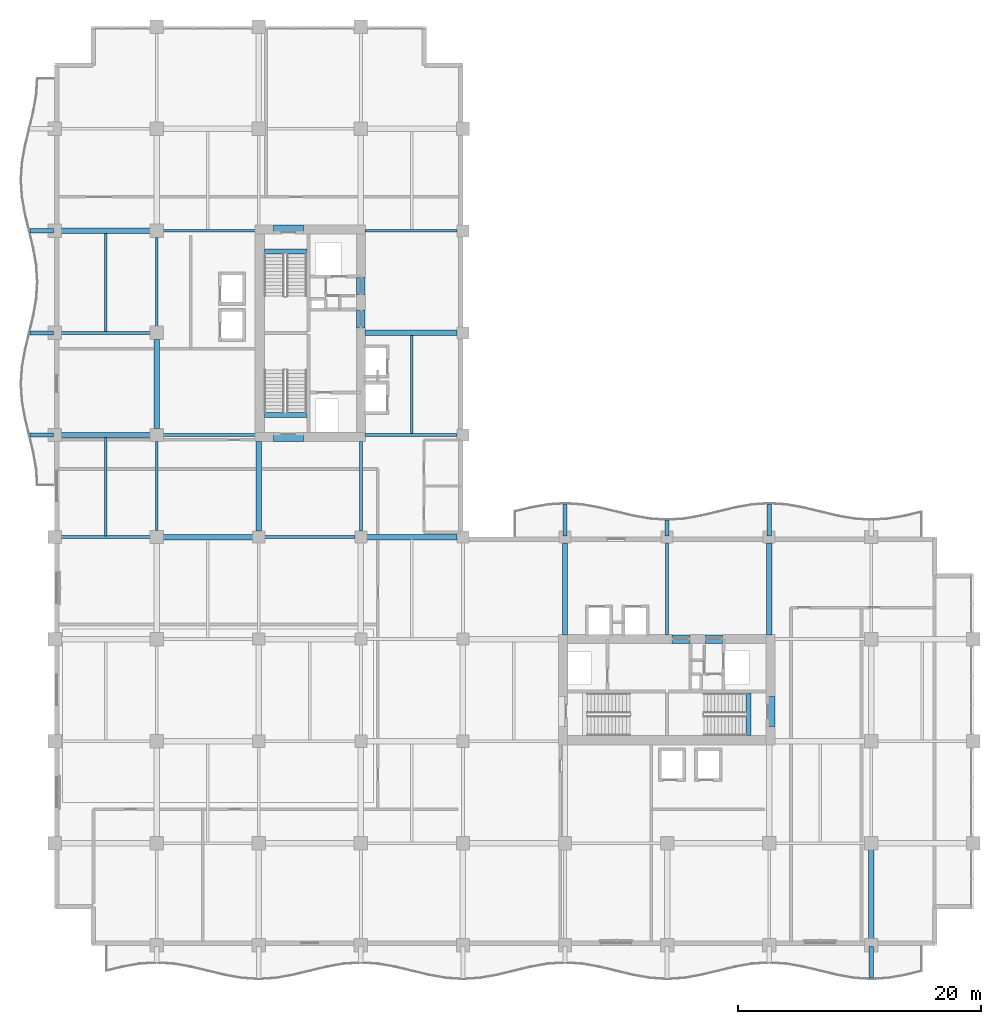
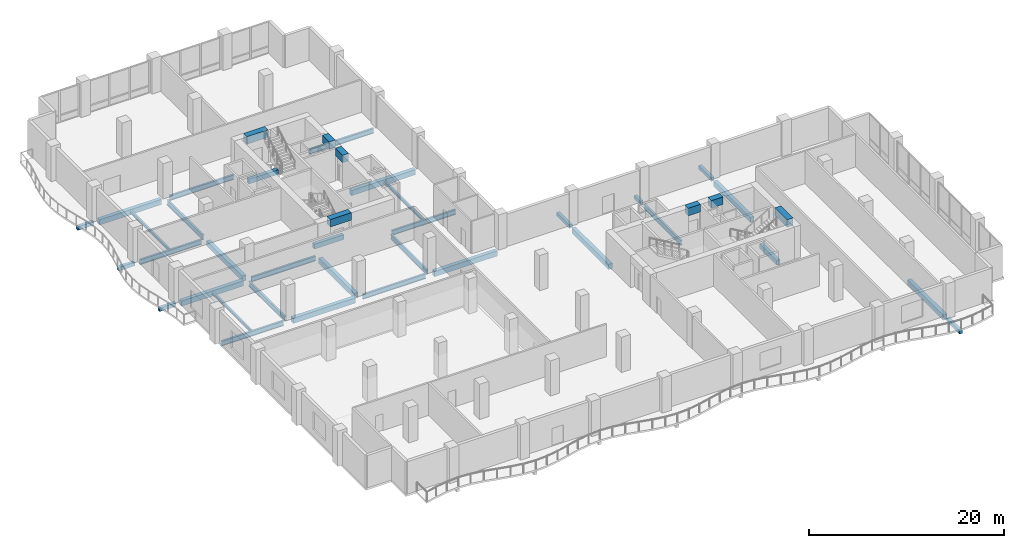
# One storey, part 2 of 25: 41 beams.
"""IFC4 building model written with IfcOpenShell, lengths in metres."""

import ifcopenshell
import ifcopenshell.guid

model = None  # the IFC model being written
_history = None  # IfcOwnerHistory: only IFC2X3 demands one
_inside = {}  # id of a spatial element -> (the spatial element, [elements in it])
_under = {}  # id of a project, library or spatial element -> (it, [spatial elements below it])
_declared = {}  # id of a project -> (the project, [libraries it declares])
_typed = {}  # id of a type object -> (the type object, [elements of that type])
_made_of = {}  # id of a material, layer set ... -> (it, [elements and type objects made of it])


def new_model(schema):
    """Start an empty IFC model of exactly this schema.

    Asked for "IFC4X3", IfcOpenShell would pick the latest addendum, in which some entities
    have other attributes; the version numbers below select the first issue.
    IFC2X3 requires an IfcOwnerHistory on every rooted entity: one is made here for all.
    """
    global model, _history
    if schema == "IFC4X3":
        model = ifcopenshell.file(schema_version=(4, 3, 0, 0))
    else:
        model = ifcopenshell.file(schema=schema)
    _inside.clear()
    _under.clear()
    _declared.clear()
    _typed.clear()
    _made_of.clear()
    _history = None
    if model.schema == "IFC2X3":
        org = make("IfcOrganization", Name="unknown")
        user = make(
            "IfcPersonAndOrganization",
            ThePerson=make("IfcPerson", FamilyName="unknown"),
            TheOrganization=org,
        )
        app = make(
            "IfcApplication",
            ApplicationDeveloper=org,
            Version="unknown",
            ApplicationFullName="unknown",
            ApplicationIdentifier="unknown",
        )
        _history = make(
            "IfcOwnerHistory",
            OwningUser=user,
            OwningApplication=app,
            ChangeAction="ADDED",
            CreationDate=0,
        )
    return model


def make(cls, **values):
    """One entity of the class cls with the attributes given. An attribute that is None is left unset."""
    return model.create_entity(
        cls, **{name: value for name, value in values.items() if value is not None}
    )


def rooted(cls, **values):
    """An entity with a GlobalId (a new one), such as an element, a storey or a relation."""
    return make(cls, GlobalId=ifcopenshell.guid.new(), OwnerHistory=_history, **values)


def si_unit(unit_type, name, prefix=None):
    """IfcSIUnit, for example si_unit("LENGTHUNIT", "METRE", prefix="MILLI")."""
    return make("IfcSIUnit", UnitType=unit_type, Prefix=prefix, Name=name)


def assignment(units):
    """IfcUnitAssignment: the units of a project."""
    return None if units is None else make("IfcUnitAssignment", Units=units)


def point(xyz):
    """IfcCartesianPoint."""
    return None if xyz is None else make("IfcCartesianPoint", Coordinates=xyz)


def direction(xyz):
    """IfcDirection."""
    return None if xyz is None else make("IfcDirection", DirectionRatios=xyz)


def frame(location, z_axis=None, x_axis=None):
    """IfcAxis2Placement3D, a coordinate frame: its origin and axes. An axis left out is left unset."""
    return make(
        "IfcAxis2Placement3D",
        Location=point(location),
        Axis=direction(z_axis),
        RefDirection=direction(x_axis),
    )


def frame_2d(location, x_axis=None):
    """IfcAxis2Placement2D, a coordinate frame in the plane: its origin and x axis."""
    return make(
        "IfcAxis2Placement2D", Location=point(location), RefDirection=direction(x_axis)
    )


def origin():
    """The frame at (0, 0, 0) with its axes left unset."""
    return frame((0.0, 0.0, 0.0))


def origin_2d():
    """The frame at (0, 0) in the plane with its x axis left unset."""
    return frame_2d((0.0, 0.0))


def place(relative_to, where):
    """IfcLocalPlacement: puts the frame where relative to a parent placement (None: the world)."""
    return make(
        "IfcLocalPlacement", PlacementRelTo=relative_to, RelativePlacement=where
    )


def context(
    kind, dimensions, precision=None, world=None, true_north=None, identifier=None
):
    """IfcGeometricRepresentationContext, for example the 3D "Model" context."""
    return make(
        "IfcGeometricRepresentationContext",
        ContextIdentifier=identifier,
        ContextType=kind,
        CoordinateSpaceDimension=dimensions,
        Precision=precision,
        WorldCoordinateSystem=world,
        TrueNorth=true_north,
    )


def subcontext(parent, identifier, kind, view, scale=None):
    """IfcGeometricRepresentationSubContext, for example "Body" below "Model"."""
    return make(
        "IfcGeometricRepresentationSubContext",
        ContextIdentifier=identifier,
        ContextType=kind,
        ParentContext=parent,
        TargetScale=scale,
        TargetView=view,
    )


def project(units=None, contexts=None):
    """IfcProject with its units and contexts."""
    return rooted(
        "IfcProject",
        Name="project",
        RepresentationContexts=contexts,
        UnitsInContext=assignment(units),
    )


def spatial(cls, under=None, at=None, **own):
    """A site, building, storey or space (cls), placed at a placement, below another one or the project."""
    s = rooted(cls, ObjectPlacement=at, **own)
    if under is not None:
        _under.setdefault(under.id(), (under, []))[1].append(s)
    return s


def profile(cls, at=None, kind="AREA", **sizes):
    """A parametric profile (cls). Its sizes go by their IFC names, for example OverallWidth=200.0."""
    return make(cls, ProfileType=kind, Position=at, **sizes)


def rectangle(**sizes):
    """IfcRectangleProfileDef."""
    return profile("IfcRectangleProfileDef", **sizes)


def i_section(**sizes):
    """IfcIShapeProfileDef."""
    return profile("IfcIShapeProfileDef", **sizes)


def extrude(swept, where, along, depth):
    """IfcExtrudedAreaSolid: the profile swept, set in the frame where, extruded along a direction by depth."""
    return make(
        "IfcExtrudedAreaSolid",
        SweptArea=swept,
        Position=where,
        ExtrudedDirection=direction(along),
        Depth=depth,
    )


def shape(context_of_items, identifier, shape_type, items):
    """IfcShapeRepresentation: the items that make up one representation, for example the "Body"."""
    return make(
        "IfcShapeRepresentation",
        ContextOfItems=context_of_items,
        RepresentationIdentifier=identifier,
        RepresentationType=shape_type,
        Items=items,
    )


def material(Name=None, Category=None):
    """IfcMaterial."""
    return make("IfcMaterial", Name=Name, Category=Category)


def material_profile(
    of_material, cross_section, Name=None, Category=None, Priority=None
):
    """IfcMaterialProfile: a cross section and its material."""
    return make(
        "IfcMaterialProfile",
        Name=Name,
        Material=of_material,
        Profile=cross_section,
        Priority=Priority,
        Category=Category,
    )


def profile_set(profiles, Name=None, composite=None):
    """IfcMaterialProfileSet."""
    return make(
        "IfcMaterialProfileSet",
        Name=Name,
        MaterialProfiles=profiles,
        CompositeProfile=composite,
    )


def made_of(thing, what):
    """Note that an element or type object is made of a material, layer set ...; save() writes the relation."""
    if what is not None:
        _made_of.setdefault(what.id(), (what, []))[1].append(thing)
    return thing


def type_object(cls, material=None, **own):
    """A type object (cls), such as IfcWallType, which elements share."""
    return made_of(rooted(cls, **own), material)


def element(
    cls,
    number,
    at=None,
    inside=None,
    cuts=None,
    type_object=None,
    material=None,
    context=None,
    identifier="Body",
    shape_type=None,
    held_by="IfcProductDefinitionShape",
    body=None,
    shapes=None,
    **own,
):
    """One element of the class cls, such as IfcWall. Its Tag is "e" and its number.

    at: its placement. inside: the storey or other place that contains it. cuts: it is an
    opening in that element (IfcRelVoidsElement). A single representation is given by context,
    identifier, shape_type and body (its items); several are given by shapes. held_by: the class
    of the entity that holds the representations. save() writes the other relations.
    """
    e = rooted(cls, Tag="e%d" % number, ObjectPlacement=at, **own)
    if body is not None:
        shapes = [shape(context, identifier, shape_type, body)]
    if shapes is not None:
        e.Representation = make(held_by, Representations=shapes)
    if inside is not None:
        _inside.setdefault(inside.id(), (inside, []))[1].append(e)
    if cuts is not None:
        rooted(
            "IfcRelVoidsElement", RelatingBuildingElement=cuts, RelatedOpeningElement=e
        )
    if type_object is not None:
        _typed.setdefault(type_object.id(), (type_object, []))[1].append(e)
    return made_of(e, material)


def aggregate(whole, parts):
    """IfcRelAggregates: a whole, such as a stair, and the parts it consists of."""
    return rooted("IfcRelAggregates", RelatingObject=whole, RelatedObjects=parts)


def save(model, path):
    """Write the relations noted so far, then the file.

    IfcRelAggregates (storeys below a building ...), IfcRelContainedInSpatialStructure (elements
    in a storey), IfcRelDefinesByType, IfcRelAssociatesMaterial and IfcRelDeclares: one each for
    every whole, place, type object, material and project.
    """
    for whole, parts in _under.values():
        aggregate(whole, parts)
    for where, things in _inside.values():
        rooted(
            "IfcRelContainedInSpatialStructure",
            RelatedElements=things,
            RelatingStructure=where,
        )
    for kind, things in _typed.values():
        rooted("IfcRelDefinesByType", RelatedObjects=things, RelatingType=kind)
    for what, things in _made_of.values():
        rooted("IfcRelAssociatesMaterial", RelatedObjects=things, RelatingMaterial=what)
    for by, libraries in _declared.values():
        rooted("IfcRelDeclares", RelatingContext=by, RelatedDefinitions=libraries)
    model.write(path)


model = new_model("IFC4")

# Units and contexts
model_context = context("Model", 3, precision=1e-05, world=origin(), true_north=direction((0.0, 1.0)))
body_context = subcontext(model_context, "Body", "Model", "MODEL_VIEW")
ifc_project = project(units=[si_unit("LENGTHUNIT", "METRE"), si_unit("AREAUNIT", "SQUARE_METRE"), si_unit("VOLUMEUNIT", "CUBIC_METRE"), si_unit("PLANEANGLEUNIT", "RADIAN"), si_unit("MASSUNIT", "GRAM", prefix="KILO")], contexts=[model_context])

# Site, building, storey
site_placement = place(None, origin())
site = spatial("IfcSite", under=ifc_project, at=site_placement, CompositionType="ELEMENT")
building_placement = place(site_placement, origin())
building = spatial("IfcBuilding", under=site, at=building_placement, Name="Koriwani Terraces Tower", CompositionType="ELEMENT")
storey_placement = place(building_placement, frame((0.0, 0.0, 157.60009765625)))
storey = spatial("IfcBuildingStorey", under=building, at=storey_placement, Name="L38", CompositionType="ELEMENT", Elevation=157.60009765625)

# Beams
ifc_material_1 = material(Name="Concrete C40/50", Category="concrete")
ifc_material_profile_1 = material_profile(ifc_material_1, rectangle(XDim=0.35009765625, YDim=0.449951171875, at=origin_2d()), Name="Concrete C40/50", Category="LoadBearing")
ifc_profile_set_1 = profile_set([ifc_material_profile_1], Name="Concrete C40/50")
beam_type_1 = type_object("IfcBeamType", Name="BEAM_RC_BALCONY_RIB_350X450", PredefinedType="JOIST", material=ifc_profile_set_1)
beam_1_placement = place(storey_placement, frame((67.199951171875, -2.699951171875, -0.47509765625), z_axis=(0.0, 1.0, 0.0), x_axis=(-1.0, 0.0, 0.0)))
element("IfcBeam", 1, at=beam_1_placement, inside=storey, type_object=beam_type_1, Name="L38 Balcony Bracket Rib S-8", PredefinedType="JOIST", context=body_context, shape_type="SweptSolid", body=[
    extrude(rectangle(XDim=0.35009765625, YDim=0.449951171875, at=origin_2d()), origin(), (0.0, 0.0, 1.0), 2.599853515625),
])
for number, where, z_axis, x_axis, name in (
    (2, (-2.02490234375, 42.0, -0.47509765625), (1.0, 0.0, 0.0), (0.0, 1.0, 0.0), "L38 Balcony Bracket Rib W-1"),
    (3, (-2.02490234375, 50.39990234375, -0.47509765625), (1.0, 0.0, 0.0), (0.0, 1.0, 0.0), "L38 Balcony Bracket Rib W-2"),
    (4, (-2.02490234375, 58.800048828125, -0.47509765625), (1.0, 0.0, 0.0), (0.0, 1.0, 0.0), "L38 Balcony Bracket Rib W-3"),
):
    element("IfcBeam", number, at=place(storey_placement, frame(where, z_axis=z_axis, x_axis=x_axis)), inside=storey, type_object=beam_type_1, Name=name, PredefinedType="JOIST", context=body_context, shape_type="SweptSolid", body=[
        extrude(rectangle(XDim=0.35009765625, YDim=0.449951171875, at=origin_2d()), origin(), (0.0, 0.0, 1.0), 1.9248046875),
    ])
beam_2_placement = place(storey_placement, frame((42.0, 33.699951171875, -0.47509765625), z_axis=(0.0, 1.0, 0.0), x_axis=(-1.0, 0.0, 0.0)))
element("IfcBeam", 5, at=beam_2_placement, inside=storey, type_object=beam_type_1, Name="L38 Balcony Bracket Rib NE-1", PredefinedType="JOIST", context=body_context, shape_type="SweptSolid", body=[
    extrude(rectangle(XDim=0.35009765625, YDim=0.449951171875, at=origin_2d()), origin(), (0.0, 0.0, 1.0), 2.60009765625),
])
beam_3_placement = place(storey_placement, frame((50.39990234375, 33.699951171875, -0.47509765625), z_axis=(0.0, 1.0, 0.0), x_axis=(-1.0, 0.0, 0.0)))
element("IfcBeam", 6, at=beam_3_placement, inside=storey, type_object=beam_type_1, Name="L38 Balcony Bracket Rib NE-2", PredefinedType="JOIST", context=body_context, shape_type="SweptSolid", body=[
    extrude(rectangle(XDim=0.35009765625, YDim=0.449951171875, at=origin_2d()), origin(), (0.0, 0.0, 1.0), 1.25),
])
beam_4_placement = place(storey_placement, frame((58.800048828125, 33.699951171875, -0.47509765625), z_axis=(0.0, 1.0, 0.0), x_axis=(-1.0, 0.0, 0.0)))
element("IfcBeam", 7, at=beam_4_placement, inside=storey, type_object=beam_type_1, Name="L38 Balcony Bracket Rib NE-3", PredefinedType="JOIST", context=body_context, shape_type="SweptSolid", body=[
    extrude(rectangle(XDim=0.35009765625, YDim=0.449951171875, at=origin_2d()), origin(), (0.0, 0.0, 1.0), 2.60009765625),
])
ifc_material_2 = material(Name="Concrete C60/75", Category="concrete")
ifc_material_profile_2 = material_profile(ifc_material_2, rectangle(XDim=0.699951171875, YDim=0.949951171875, at=origin_2d()), Name="Concrete C60/75", Category="LoadBearing")
ifc_profile_set_2 = profile_set([ifc_material_profile_2], Name="Concrete C60/75")
beam_type_2 = type_object("IfcBeamType", Name="BEAM_RC_COUPLING_700X950", PredefinedType="LINTEL", material=ifc_profile_set_2)
beam_5_placement = place(storey_placement, frame((25.199951171875, 50.800048828125, 3.574951171875), z_axis=(0.0, 1.0, 0.0), x_axis=(-1.0, 0.0, 0.0)))
element("IfcBeam", 8, at=beam_5_placement, inside=storey, type_object=beam_type_2, Name="L38 Core Coupling Lintel Beam WE1", PredefinedType="LINTEL", context=body_context, shape_type="SweptSolid", body=[
    extrude(rectangle(XDim=0.699951171875, YDim=0.949951171875, at=origin_2d()), origin(), (0.0, 0.0, 1.0), 1.47998046875),
])
beam_6_placement = place(storey_placement, frame((25.199951171875, 53.550048828125, 3.574951171875), z_axis=(0.0, 1.0, 0.0), x_axis=(-1.0, 0.0, 0.0)))
element("IfcBeam", 9, at=beam_6_placement, inside=storey, type_object=beam_type_2, Name="L38 Core Coupling Lintel Beam WE2", PredefinedType="LINTEL", context=body_context, shape_type="SweptSolid", body=[
    extrude(rectangle(XDim=0.699951171875, YDim=0.949951171875, at=origin_2d()), origin(), (0.0, 0.0, 1.0), 1.39990234375),
])
for number, where, z_axis, x_axis, name in (
    (10, (18.0, 41.824951171875, 3.574951171875), (1.0, 0.0, 0.0), (0.0, 1.0, 0.0), "L38 Core Coupling Lintel Beam WS"),
    (11, (18.0, 58.925048828125, 3.574951171875), (1.0, 0.0, 0.0), (0.0, 1.0, 0.0), "L38 Core Coupling Lintel Beam WN"),
):
    element("IfcBeam", number, at=place(storey_placement, frame(where, z_axis=z_axis, x_axis=x_axis)), inside=storey, type_object=beam_type_2, Name=name, PredefinedType="LINTEL", context=body_context, shape_type="SweptSolid", body=[
        extrude(rectangle(XDim=0.699951171875, YDim=0.949951171875, at=origin_2d()), origin(), (0.0, 0.0, 1.0), 2.5),
    ])
beam_7_placement = place(storey_placement, frame((50.800048828125, 25.199951171875, 3.574951171875), z_axis=(1.0, 0.0, 0.0), x_axis=(0.0, 1.0, 0.0)))
element("IfcBeam", 12, at=beam_7_placement, inside=storey, type_object=beam_type_2, Name="L38 Core Coupling Lintel Beam EN1", PredefinedType="LINTEL", context=body_context, shape_type="SweptSolid", body=[
    extrude(rectangle(XDim=0.699951171875, YDim=0.949951171875, at=origin_2d()), origin(), (0.0, 0.0, 1.0), 1.47998046875),
])
beam_8_placement = place(storey_placement, frame((53.550048828125, 25.199951171875, 3.574951171875), z_axis=(1.0, 0.0, 0.0), x_axis=(0.0, 1.0, 0.0)))
element("IfcBeam", 13, at=beam_8_placement, inside=storey, type_object=beam_type_2, Name="L38 Core Coupling Lintel Beam EN2", PredefinedType="LINTEL", context=body_context, shape_type="SweptSolid", body=[
    extrude(rectangle(XDim=0.699951171875, YDim=0.949951171875, at=origin_2d()), origin(), (0.0, 0.0, 1.0), 1.39990234375),
])
beam_9_placement = place(storey_placement, frame((58.925048828125, 18.0, 3.574951171875), z_axis=(0.0, 1.0, 0.0), x_axis=(-1.0, 0.0, 0.0)))
element("IfcBeam", 14, at=beam_9_placement, inside=storey, type_object=beam_type_2, Name="L38 Core Coupling Lintel Beam EE", PredefinedType="LINTEL", context=body_context, shape_type="SweptSolid", body=[
    extrude(rectangle(XDim=0.699951171875, YDim=0.949951171875, at=origin_2d()), origin(), (0.0, 0.0, 1.0), 2.5),
])
ifc_material_profile_3 = material_profile(ifc_material_1, rectangle(XDim=0.39990234375, YDim=0.60009765625, at=origin_2d()), Name="Concrete C40/50", Category="LoadBearing")
ifc_profile_set_3 = profile_set([ifc_material_profile_3], Name="Concrete C40/50")
beam_type_3 = type_object("IfcBeamType", Name="BEAM_RC_GRID_400X600", PredefinedType="BEAM", material=ifc_profile_set_3)
for number, where, z_axis, x_axis, name in (
    (15, (17.25, 43.655029296875, -0.300048828125), (1.0, 0.0, 0.0), (0.0, 1.0, 0.0), "L38 Stairwell Header Trimmer Beam ST-W1"),
    (16, (17.25, 57.094970703125, -0.300048828125), (1.0, 0.0, 0.0), (0.0, 1.0, 0.0), "L38 Stairwell Header Trimmer Beam ST-W2"),
    (17, (57.094970703125, 17.25, -0.300048828125), (0.0, 1.0, 0.0), (-1.0, 0.0, 0.0), "L38 Stairwell Header Trimmer Beam ST-E2"),
):
    element("IfcBeam", number, at=place(storey_placement, frame(where, z_axis=z_axis, x_axis=x_axis)), inside=storey, type_object=beam_type_3, Name=name, PredefinedType="BEAM", context=body_context, shape_type="SweptSolid", body=[
        extrude(rectangle(XDim=0.39990234375, YDim=0.60009765625, at=origin_2d()), origin(), (0.0, 0.0, 1.0), 3.5),
    ])
ifc_material_3 = material(Name="Concrete C50/60", Category="concrete")
ifc_material_profile_4 = material_profile(ifc_material_3, rectangle(XDim=0.449951171875, YDim=0.64990234375, at=origin_2d()), Name="Concrete C50/60", Category="LoadBearing")
ifc_profile_set_4 = profile_set([ifc_material_profile_4], Name="Concrete C50/60")
beam_type_4 = type_object("IfcBeamType", Name="BEAM_RC_GRID_450X650", PredefinedType="BEAM", material=ifc_profile_set_4)
beam_10_placement = place(storey_placement, frame((8.929931640625, 33.60009765625, -0.5751953125), z_axis=(1.0, 0.0, 0.0), x_axis=(0.0, 1.0, 0.0)))
element("IfcBeam", 18, at=beam_10_placement, inside=storey, type_object=beam_type_4, Name="L38 Grid Beam E (8.4-16.8m)", PredefinedType="BEAM", context=body_context, shape_type="SweptSolid", body=[
    extrude(rectangle(XDim=0.449951171875, YDim=0.64990234375, at=origin_2d()), origin(), (0.0, 0.0, 1.0), 7.39013671875),
])
beam_11_placement = place(storey_placement, frame((25.679931640625, 33.60009765625, -0.5751953125), z_axis=(1.0, 0.0, 0.0), x_axis=(0.0, 1.0, 0.0)))
element("IfcBeam", 19, at=beam_11_placement, inside=storey, type_object=beam_type_4, Name="L38 Grid Beam E (25.2-33.6m)", PredefinedType="BEAM", context=body_context, shape_type="SweptSolid", body=[
    extrude(rectangle(XDim=0.449951171875, YDim=0.64990234375, at=origin_2d()), origin(), (0.0, 0.0, 1.0), 7.440185546875),
])
beam_12_placement = place(storey_placement, frame((0.530029296875, 42.0, -0.5751953125), z_axis=(1.0, 0.0, 0.0), x_axis=(0.0, 1.0, 0.0)))
element("IfcBeam", 20, at=beam_12_placement, inside=storey, type_object=beam_type_4, Name="L38 Grid Beam F (0.0-8.4m)", PredefinedType="BEAM", context=body_context, shape_type="SweptSolid", body=[
    extrude(rectangle(XDim=0.449951171875, YDim=0.64990234375, at=origin_2d()), origin(), (0.0, 0.0, 1.0), 7.340087890625),
])
beam_13_placement = place(storey_placement, frame((25.554931640625, 50.39990234375, -0.5751953125), z_axis=(1.0, 0.0, 0.0), x_axis=(0.0, 1.0, 0.0)))
element("IfcBeam", 21, at=beam_13_placement, inside=storey, type_object=beam_type_4, Name="L38 Grid Beam G (25.2-33.6m)", PredefinedType="BEAM", context=body_context, shape_type="SweptSolid", body=[
    extrude(rectangle(XDim=0.449951171875, YDim=0.64990234375, at=origin_2d()), origin(), (0.0, 0.0, 1.0), 7.565185546875),
])
for number, where, z_axis, x_axis, name in (
    (22, (0.530029296875, 58.800048828125, -0.5751953125), (1.0, 0.0, 0.0), (0.0, 1.0, 0.0), "L38 Grid Beam H (0.0-8.4m)"),
    (23, (8.39990234375, 42.530029296875, -0.5751953125), (0.0, 1.0, 0.0), (-1.0, 0.0, 0.0), "L38 Grid Beam 2 (42.0-50.4m)"),
):
    element("IfcBeam", number, at=place(storey_placement, frame(where, z_axis=z_axis, x_axis=x_axis)), inside=storey, type_object=beam_type_4, Name=name, PredefinedType="BEAM", context=body_context, shape_type="SweptSolid", body=[
        extrude(rectangle(XDim=0.449951171875, YDim=0.64990234375, at=origin_2d()), origin(), (0.0, 0.0, 1.0), 7.340087890625),
    ])
beam_14_placement = place(storey_placement, frame((16.800048828125, 34.080078125, -0.5751953125), z_axis=(0.0, 1.0, 0.0), x_axis=(-1.0, 0.0, 0.0)))
element("IfcBeam", 24, at=beam_14_placement, inside=storey, type_object=beam_type_4, Name="L38 Grid Beam 3 (33.6-42.0m)", PredefinedType="BEAM", context=body_context, shape_type="SweptSolid", body=[
    extrude(rectangle(XDim=0.449951171875, YDim=0.64990234375, at=origin_2d()), origin(), (0.0, 0.0, 1.0), 7.389892578125),
])
for number, where, z_axis, x_axis, name in (
    (25, (42.0, 25.554931640625, -0.5751953125), (0.0, 1.0, 0.0), (-1.0, 0.0, 0.0), "L38 Grid Beam 6 (25.2-33.6m)"),
    (26, (58.800048828125, 25.554931640625, -0.5751953125), (0.0, 1.0, 0.0), (-1.0, 0.0, 0.0), "L38 Grid Beam 8 (25.2-33.6m)"),
):
    element("IfcBeam", number, at=place(storey_placement, frame(where, z_axis=z_axis, x_axis=x_axis)), inside=storey, type_object=beam_type_4, Name=name, PredefinedType="BEAM", context=body_context, shape_type="SweptSolid", body=[
        extrude(rectangle(XDim=0.449951171875, YDim=0.64990234375, at=origin_2d()), origin(), (0.0, 0.0, 1.0), 7.565185546875),
    ])
beam_15_placement = place(storey_placement, frame((67.199951171875, 0.530029296875, -0.5751953125), z_axis=(0.0, 1.0, 0.0), x_axis=(-1.0, 0.0, 0.0)))
element("IfcBeam", 27, at=beam_15_placement, inside=storey, type_object=beam_type_4, Name="L38 Grid Beam 9 (0.0-8.4m)", PredefinedType="BEAM", context=body_context, shape_type="SweptSolid", body=[
    extrude(rectangle(XDim=0.449951171875, YDim=0.64990234375, at=origin_2d()), origin(), (0.0, 0.0, 1.0), 7.340087890625),
])
ifc_material_4 = material(Name="Steel ASTM A572 Grade 50", Category="steel")
ifc_material_profile_5 = material_profile(ifc_material_4, i_section(OverallWidth=0.205078125, OverallDepth=0.35400390625, WebThickness=0.009521484375, FlangeThickness=0.016845703125, at=origin_2d()), Name="Steel ASTM A572 Grade 50", Category="LoadBearing")
ifc_profile_set_5 = profile_set([ifc_material_profile_5], Name="Steel ASTM A572 Grade 50")
beam_type_5 = type_object("IfcBeamType", Name="STEEL_BEAM_W360X79", PredefinedType="JOIST", material=ifc_profile_set_5)
for number, where, z_axis, x_axis, name in (
    (28, (4.199951171875, 33.70556640625, -0.427001953125), (0.0, 1.0, 0.0), (-1.0, 0.0, 0.0), "L38 Secondary Steel Floor Joist X=4.2m"),
    (29, (4.199951171875, 50.505615234375, -0.427001953125), (0.0, 1.0, 0.0), (-1.0, 0.0, 0.0), "L38 Secondary Steel Floor Joist X=4.2m"),
):
    element("IfcBeam", number, at=place(storey_placement, frame(where, z_axis=z_axis, x_axis=x_axis)), inside=storey, type_object=beam_type_5, Name=name, PredefinedType="JOIST", context=body_context, shape_type="SweptSolid", body=[
        extrude(i_section(OverallWidth=0.205078125, OverallDepth=0.35400390625, WebThickness=0.009521484375, FlangeThickness=0.016845703125, at=origin_2d()), origin(), (0.0, 0.0, 1.0), 8.079345703125),
    ])
beam_16_placement = place(storey_placement, frame((29.39990234375, 42.10546875, -0.427001953125), z_axis=(0.0, 1.0, 0.0), x_axis=(-1.0, 0.0, 0.0)))
element("IfcBeam", 30, at=beam_16_placement, inside=storey, type_object=beam_type_5, Name="L38 Secondary Steel Floor Joist X=29.4m", PredefinedType="JOIST", context=body_context, shape_type="SweptSolid", body=[
    extrude(i_section(OverallWidth=0.205078125, OverallDepth=0.35400390625, WebThickness=0.009521484375, FlangeThickness=0.016845703125, at=origin_2d()), origin(), (0.0, 0.0, 1.0), 8.07958984375),
])
ifc_material_profile_6 = material_profile(ifc_material_4, i_section(OverallWidth=0.23095703125, OverallDepth=0.616943359375, WebThickness=0.015380859375, FlangeThickness=0.0244140625, at=origin_2d()), Name="Steel ASTM A572 Grade 50", Category="LoadBearing")
ifc_profile_set_6 = profile_set([ifc_material_profile_6], Name="Steel ASTM A572 Grade 50")
beam_type_6 = type_object("IfcBeamType", Name="STEEL_BEAM_W610X195", PredefinedType="BEAM", material=ifc_profile_set_6)
beam_17_placement = place(storey_placement, frame((0.530029296875, 33.60009765625, -0.55859375), z_axis=(1.0, 0.0, 0.0), x_axis=(0.0, 1.0, 0.0)))
element("IfcBeam", 31, at=beam_17_placement, inside=storey, type_object=beam_type_6, Name="L38 Grid Beam E (0.0-8.4m)", PredefinedType="BEAM", context=body_context, shape_type="SweptSolid", body=[
    extrude(i_section(OverallWidth=0.23095703125, OverallDepth=0.616943359375, WebThickness=0.015380859375, FlangeThickness=0.0244140625, at=origin_2d()), origin(), (0.0, 0.0, 1.0), 7.340087890625),
])
beam_18_placement = place(storey_placement, frame((17.280029296875, 33.60009765625, -0.55859375), z_axis=(1.0, 0.0, 0.0), x_axis=(0.0, 1.0, 0.0)))
element("IfcBeam", 32, at=beam_18_placement, inside=storey, type_object=beam_type_6, Name="L38 Grid Beam E (16.8-25.2m)", PredefinedType="BEAM", context=body_context, shape_type="SweptSolid", body=[
    extrude(i_section(OverallWidth=0.23095703125, OverallDepth=0.616943359375, WebThickness=0.015380859375, FlangeThickness=0.0244140625, at=origin_2d()), origin(), (0.0, 0.0, 1.0), 7.43994140625),
])
beam_19_placement = place(storey_placement, frame((8.929931640625, 42.0, -0.55859375), z_axis=(1.0, 0.0, 0.0), x_axis=(0.0, 1.0, 0.0)))
element("IfcBeam", 33, at=beam_19_placement, inside=storey, type_object=beam_type_6, Name="L38 Grid Beam F (8.4-16.8m)", PredefinedType="BEAM", context=body_context, shape_type="SweptSolid", body=[
    extrude(i_section(OverallWidth=0.23095703125, OverallDepth=0.616943359375, WebThickness=0.015380859375, FlangeThickness=0.0244140625, at=origin_2d()), origin(), (0.0, 0.0, 1.0), 7.590087890625),
])
beam_20_placement = place(storey_placement, frame((25.554931640625, 42.0, -0.55859375), z_axis=(1.0, 0.0, 0.0), x_axis=(0.0, 1.0, 0.0)))
element("IfcBeam", 34, at=beam_20_placement, inside=storey, type_object=beam_type_6, Name="L38 Grid Beam F (25.2-33.6m)", PredefinedType="BEAM", context=body_context, shape_type="SweptSolid", body=[
    extrude(i_section(OverallWidth=0.23095703125, OverallDepth=0.616943359375, WebThickness=0.015380859375, FlangeThickness=0.0244140625, at=origin_2d()), origin(), (0.0, 0.0, 1.0), 7.565185546875),
])
beam_21_placement = place(storey_placement, frame((0.530029296875, 50.39990234375, -0.55859375), z_axis=(1.0, 0.0, 0.0), x_axis=(0.0, 1.0, 0.0)))
element("IfcBeam", 35, at=beam_21_placement, inside=storey, type_object=beam_type_6, Name="L38 Grid Beam G (0.0-8.4m)", PredefinedType="BEAM", context=body_context, shape_type="SweptSolid", body=[
    extrude(i_section(OverallWidth=0.23095703125, OverallDepth=0.616943359375, WebThickness=0.015380859375, FlangeThickness=0.0244140625, at=origin_2d()), origin(), (0.0, 0.0, 1.0), 7.340087890625),
])
beam_22_placement = place(storey_placement, frame((8.929931640625, 58.800048828125, -0.55859375), z_axis=(1.0, 0.0, 0.0), x_axis=(0.0, 1.0, 0.0)))
element("IfcBeam", 36, at=beam_22_placement, inside=storey, type_object=beam_type_6, Name="L38 Grid Beam H (8.4-16.8m)", PredefinedType="BEAM", context=body_context, shape_type="SweptSolid", body=[
    extrude(i_section(OverallWidth=0.23095703125, OverallDepth=0.616943359375, WebThickness=0.015380859375, FlangeThickness=0.0244140625, at=origin_2d()), origin(), (0.0, 0.0, 1.0), 7.590087890625),
])
beam_23_placement = place(storey_placement, frame((25.554931640625, 58.800048828125, -0.55859375), z_axis=(1.0, 0.0, 0.0), x_axis=(0.0, 1.0, 0.0)))
element("IfcBeam", 37, at=beam_23_placement, inside=storey, type_object=beam_type_6, Name="L38 Grid Beam H (25.2-33.6m)", PredefinedType="BEAM", context=body_context, shape_type="SweptSolid", body=[
    extrude(i_section(OverallWidth=0.23095703125, OverallDepth=0.616943359375, WebThickness=0.015380859375, FlangeThickness=0.0244140625, at=origin_2d()), origin(), (0.0, 0.0, 1.0), 7.565185546875),
])
for number, where, z_axis, x_axis, name in (
    (38, (8.39990234375, 34.1298828125, -0.55859375), (0.0, 1.0, 0.0), (-1.0, 0.0, 0.0), "L38 Grid Beam 2 (33.6-42.0m)"),
    (39, (8.39990234375, 50.929931640625, -0.55859375), (0.0, 1.0, 0.0), (-1.0, 0.0, 0.0), "L38 Grid Beam 2 (50.4-58.8m)"),
):
    element("IfcBeam", number, at=place(storey_placement, frame(where, z_axis=z_axis, x_axis=x_axis)), inside=storey, type_object=beam_type_6, Name=name, PredefinedType="BEAM", context=body_context, shape_type="SweptSolid", body=[
        extrude(i_section(OverallWidth=0.23095703125, OverallDepth=0.616943359375, WebThickness=0.015380859375, FlangeThickness=0.0244140625, at=origin_2d()), origin(), (0.0, 0.0, 1.0), 7.340087890625),
    ])
beam_24_placement = place(storey_placement, frame((25.199951171875, 34.080078125, -0.55859375), z_axis=(0.0, 1.0, 0.0), x_axis=(-1.0, 0.0, 0.0)))
element("IfcBeam", 40, at=beam_24_placement, inside=storey, type_object=beam_type_6, Name="L38 Grid Beam 4 (33.6-42.0m)", PredefinedType="BEAM", context=body_context, shape_type="SweptSolid", body=[
    extrude(i_section(OverallWidth=0.23095703125, OverallDepth=0.616943359375, WebThickness=0.015380859375, FlangeThickness=0.0244140625, at=origin_2d()), origin(), (0.0, 0.0, 1.0), 7.389892578125),
])
beam_25_placement = place(storey_placement, frame((50.39990234375, 25.554931640625, -0.55859375), z_axis=(0.0, 1.0, 0.0), x_axis=(-1.0, 0.0, 0.0)))
element("IfcBeam", 41, at=beam_25_placement, inside=storey, type_object=beam_type_6, Name="L38 Grid Beam 7 (25.2-33.6m)", PredefinedType="BEAM", context=body_context, shape_type="SweptSolid", body=[
    extrude(i_section(OverallWidth=0.23095703125, OverallDepth=0.616943359375, WebThickness=0.015380859375, FlangeThickness=0.0244140625, at=origin_2d()), origin(), (0.0, 0.0, 1.0), 7.565185546875),
])

save(model, "model.ifc")
